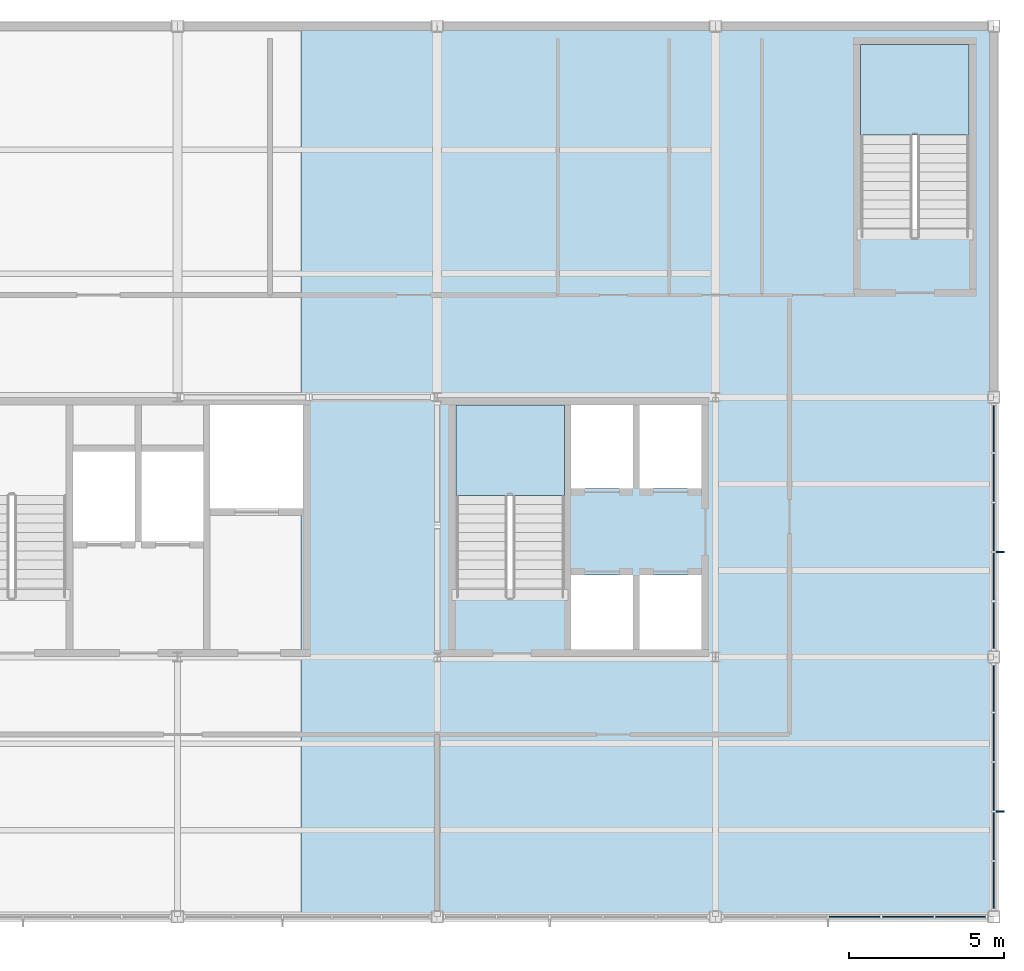
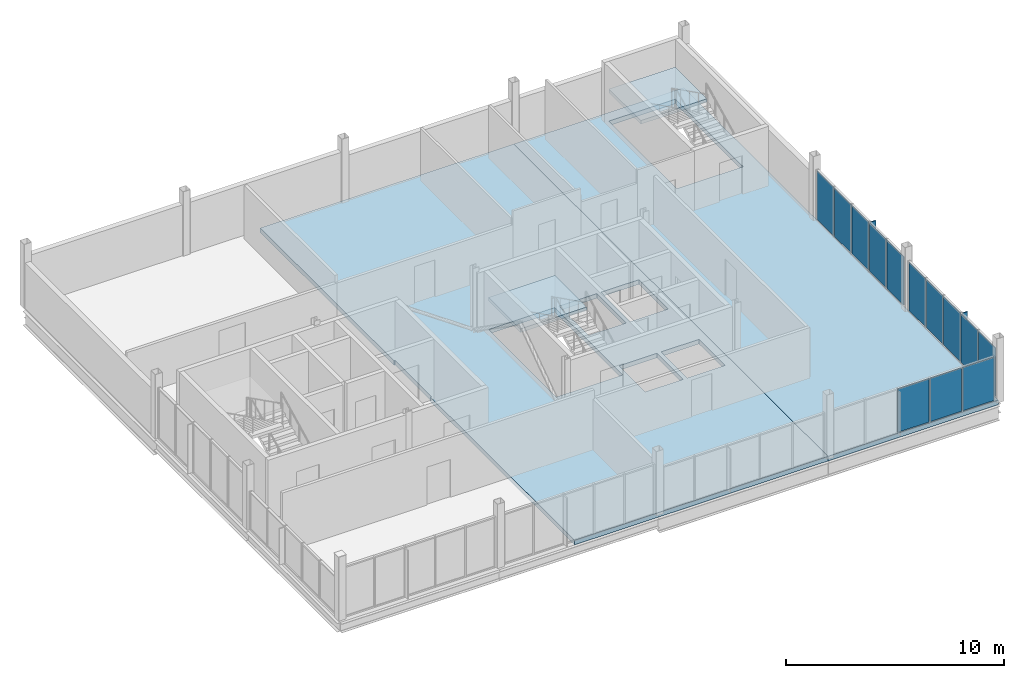
# One storey, part 10 of 15: 15 plates, 4 slabs, 5 elements without a shape of their own.
"""IFC4 building model written with IfcOpenShell, lengths in metres."""

from ifc_helpers import new_model, si_unit, direction, frame, origin, origin_2d, place, context, subcontext, project, spatial, polyline, rectangle, outline, extrude, material, layer, layer_set, type_object, element, aggregate, save


model = new_model("IFC4")

# Units and contexts
model_context = context("Model", 3, precision=1e-05, world=origin(), true_north=direction((0.0, 1.0)))
body_context = subcontext(model_context, "Body", "Model", "MODEL_VIEW")
ifc_project = project(units=[si_unit("LENGTHUNIT", "METRE"), si_unit("AREAUNIT", "SQUARE_METRE"), si_unit("VOLUMEUNIT", "CUBIC_METRE"), si_unit("PLANEANGLEUNIT", "RADIAN"), si_unit("MASSUNIT", "GRAM", prefix="KILO")], contexts=[model_context])

# Site, building, storey
site_placement = place(None, origin())
site = spatial("IfcSite", under=ifc_project, at=site_placement, CompositionType="ELEMENT")
building_placement = place(site_placement, origin())
building = spatial("IfcBuilding", under=site, at=building_placement, Name="Yukiwa Park Conservatory and Herbarium", CompositionType="ELEMENT")
storey_placement = place(building_placement, frame((0.0, 0.0, 54.0)))
storey = spatial("IfcBuildingStorey", under=building, at=storey_placement, Name="L14", CompositionType="ELEMENT", Elevation=54.0)

# Curtain wall, plates
ifc_material_1 = material(Name="Triple Low-E Insulated Glass", Category="glass")
ifc_layer_1 = layer(ifc_material_1, 0.27197265625)
ifc_layer_set_1 = layer_set([ifc_layer_1], Name="Triple Low-E Insulated Glass")
curtain_wall_type = type_object("IfcCurtainWallType", Name="CW-TOWER-LIB-1600", PredefinedType="NOTDEFINED", material=ifc_layer_set_1)
curtain_wall_1_placement = place(storey_placement, origin())
curtain_wall_1 = element("IfcCurtainWall", 1, at=curtain_wall_1_placement, inside=storey, type_object=curtain_wall_type, Name="L14 unitised curtain wall CW-L14-133", PredefinedType="NOTDEFINED")
ifc_material_2 = material(Name="Triple Low-E Insulated Glass", Category="glass")
ifc_layer_2 = layer(ifc_material_2, 0.035888671875)
ifc_layer_set_2 = layer_set([ifc_layer_2], Name="Triple Low-E Insulated Glass")
plate_type_1 = type_object("IfcPlateType", Name="PL-CW-GLZ-36", PredefinedType="CURTAIN_PANEL", material=ifc_layer_set_2)
plate_1_placement = place(storey_placement, frame((168.0, 87.39990234375, 0.070068359375), z_axis=(0.0, 0.0, 1.0), x_axis=(0.0, 1.0, 0.0)))
plate_1 = element("IfcPlate", 2, at=plate_1_placement, type_object=plate_type_1, Name="CW-L14-133 vision panel 1.1", PredefinedType="CURTAIN_PANEL", context=body_context, shape_type="SweptSolid", body=[
    extrude(rectangle(XDim=1.530029296875, YDim=0.035888671875, at=origin_2d()), origin(), (0.0, 0.0, 1.0), 2.7041015625),
])
plate_2_placement = place(storey_placement, frame((168.0, 89.0, 0.070068359375), z_axis=(0.0, 0.0, 1.0), x_axis=(0.0, 1.0, 0.0)))
plate_2 = element("IfcPlate", 3, at=plate_2_placement, type_object=plate_type_1, Name="CW-L14-133 vision panel 2.1", PredefinedType="CURTAIN_PANEL", context=body_context, shape_type="SweptSolid", body=[
    extrude(rectangle(XDim=1.530029296875, YDim=0.035888671875, at=origin_2d()), origin(), (0.0, 0.0, 1.0), 2.7041015625),
])
plate_3_placement = place(storey_placement, frame((168.0, 90.60009765625, 0.070068359375), z_axis=(0.0, 0.0, 1.0), x_axis=(0.0, 1.0, 0.0)))
plate_3 = element("IfcPlate", 4, at=plate_3_placement, type_object=plate_type_1, Name="CW-L14-133 vision panel 3.1", PredefinedType="CURTAIN_PANEL", context=body_context, shape_type="SweptSolid", body=[
    extrude(rectangle(XDim=1.530029296875, YDim=0.035888671875, at=origin_2d()), origin(), (0.0, 0.0, 1.0), 2.7041015625),
])
plate_4_placement = place(storey_placement, frame((168.0, 92.199951171875, 0.070068359375), z_axis=(0.0, 0.0, 1.0), x_axis=(0.0, 1.0, 0.0)))
plate_4 = element("IfcPlate", 5, at=plate_4_placement, type_object=plate_type_1, Name="CW-L14-133 vision panel 4.1", PredefinedType="CURTAIN_PANEL", context=body_context, shape_type="SweptSolid", body=[
    extrude(rectangle(XDim=1.530029296875, YDim=0.035888671875, at=origin_2d()), origin(), (0.0, 0.0, 1.0), 2.7041015625),
])
plate_5_placement = place(storey_placement, frame((168.0, 93.800048828125, 0.070068359375), z_axis=(0.0, 0.0, 1.0), x_axis=(0.0, 1.0, 0.0)))
plate_5 = element("IfcPlate", 6, at=plate_5_placement, type_object=plate_type_1, Name="CW-L14-133 vision panel 5.1", PredefinedType="CURTAIN_PANEL", context=body_context, shape_type="SweptSolid", body=[
    extrude(rectangle(XDim=1.530029296875, YDim=0.035888671875, at=origin_2d()), origin(), (0.0, 0.0, 1.0), 2.7041015625),
])
aggregate(curtain_wall_1, [plate_1, plate_2, plate_3, plate_4, plate_5])

curtain_wall_2_placement = place(storey_placement, origin())
curtain_wall_2 = element("IfcCurtainWall", 7, at=curtain_wall_2_placement, inside=storey, type_object=curtain_wall_type, Name="L14 unitised curtain wall CW-L14-134", PredefinedType="NOTDEFINED")
plate_6_placement = place(storey_placement, frame((168.0, 95.800048828125, 0.070068359375), z_axis=(0.0, 0.0, 1.0), x_axis=(0.0, 1.0, 0.0)))
plate_6 = element("IfcPlate", 8, at=plate_6_placement, type_object=plate_type_1, Name="CW-L14-134 vision panel 1.1", PredefinedType="CURTAIN_PANEL", context=body_context, shape_type="SweptSolid", body=[
    extrude(rectangle(XDim=1.530029296875, YDim=0.035888671875, at=origin_2d()), origin(), (0.0, 0.0, 1.0), 2.7041015625),
])
plate_7_placement = place(storey_placement, frame((168.0, 97.39990234375, 0.070068359375), z_axis=(0.0, 0.0, 1.0), x_axis=(0.0, 1.0, 0.0)))
plate_7 = element("IfcPlate", 9, at=plate_7_placement, type_object=plate_type_1, Name="CW-L14-134 vision panel 2.1", PredefinedType="CURTAIN_PANEL", context=body_context, shape_type="SweptSolid", body=[
    extrude(rectangle(XDim=1.530029296875, YDim=0.035888671875, at=origin_2d()), origin(), (0.0, 0.0, 1.0), 2.7041015625),
])
plate_8_placement = place(storey_placement, frame((168.0, 99.0, 0.070068359375), z_axis=(0.0, 0.0, 1.0), x_axis=(0.0, 1.0, 0.0)))
plate_8 = element("IfcPlate", 10, at=plate_8_placement, type_object=plate_type_1, Name="CW-L14-134 vision panel 3.1", PredefinedType="CURTAIN_PANEL", context=body_context, shape_type="SweptSolid", body=[
    extrude(rectangle(XDim=1.530029296875, YDim=0.035888671875, at=origin_2d()), origin(), (0.0, 0.0, 1.0), 2.7041015625),
])
plate_9_placement = place(storey_placement, frame((168.0, 100.60009765625, 0.070068359375), z_axis=(0.0, 0.0, 1.0), x_axis=(0.0, 1.0, 0.0)))
plate_9 = element("IfcPlate", 11, at=plate_9_placement, type_object=plate_type_1, Name="CW-L14-134 vision panel 4.1", PredefinedType="CURTAIN_PANEL", context=body_context, shape_type="SweptSolid", body=[
    extrude(rectangle(XDim=1.530029296875, YDim=0.035888671875, at=origin_2d()), origin(), (0.0, 0.0, 1.0), 2.7041015625),
])
plate_10_placement = place(storey_placement, frame((168.0, 102.199951171875, 0.070068359375), z_axis=(0.0, 0.0, 1.0), x_axis=(0.0, 1.0, 0.0)))
plate_10 = element("IfcPlate", 12, at=plate_10_placement, type_object=plate_type_1, Name="CW-L14-134 vision panel 5.1", PredefinedType="CURTAIN_PANEL", context=body_context, shape_type="SweptSolid", body=[
    extrude(rectangle(XDim=1.530029296875, YDim=0.035888671875, at=origin_2d()), origin(), (0.0, 0.0, 1.0), 2.7041015625),
])
aggregate(curtain_wall_2, [plate_6, plate_7, plate_8, plate_9, plate_10])

curtain_wall_3_placement = place(storey_placement, origin())
curtain_wall_3 = element("IfcCurtainWall", 13, at=curtain_wall_3_placement, inside=storey, type_object=curtain_wall_type, Name="L14 unitised curtain wall CW-L14-140", PredefinedType="NOTDEFINED")
plate_11_placement = place(storey_placement, frame((163.5, 86.39990234375, 0.06982421875), z_axis=(0.0, 0.0, 1.0), x_axis=(1.0, 0.0, 0.0)))
plate_11 = element("IfcPlate", 14, at=plate_11_placement, type_object=plate_type_1, Name="CW-L14-140 vision panel 3.1", PredefinedType="CURTAIN_PANEL", context=body_context, shape_type="SweptSolid", body=[
    extrude(rectangle(XDim=1.64990234375, YDim=0.035888671875, at=origin_2d()), origin(), (0.0, 0.0, 1.0), 2.412109375),
])
plate_12_placement = place(storey_placement, frame((165.219970703125, 86.39990234375, 0.06982421875), z_axis=(0.0, 0.0, 1.0), x_axis=(1.0, 0.0, 0.0)))
plate_12 = element("IfcPlate", 15, at=plate_12_placement, type_object=plate_type_1, Name="CW-L14-140 vision panel 4.1", PredefinedType="CURTAIN_PANEL", context=body_context, shape_type="SweptSolid", body=[
    extrude(rectangle(XDim=1.64990234375, YDim=0.035888671875, at=origin_2d()), origin(), (0.0, 0.0, 1.0), 2.412109375),
])
plate_13_placement = place(storey_placement, frame((166.93994140625, 86.39990234375, 0.06982421875), z_axis=(0.0, 0.0, 1.0), x_axis=(1.0, 0.0, 0.0)))
plate_13 = element("IfcPlate", 16, at=plate_13_placement, type_object=plate_type_1, Name="CW-L14-140 vision panel 5.1", PredefinedType="CURTAIN_PANEL", context=body_context, shape_type="SweptSolid", body=[
    extrude(rectangle(XDim=1.64990234375, YDim=0.035888671875, at=origin_2d()), origin(), (0.0, 0.0, 1.0), 2.412109375),
])
aggregate(curtain_wall_3, [plate_11, plate_12, plate_13])

# Plates
ifc_material_3 = material(Name="Anodised Aluminium", Category="aluminium")
ifc_layer_3 = layer(ifc_material_3, 0.050048828125)
ifc_layer_set_3 = layer_set([ifc_layer_3], Name="Anodised Aluminium")
plate_type_2 = type_object("IfcPlateType", Name="PL-FIN-ALU-50", PredefinedType="USERDEFINED", material=ifc_layer_set_3)
for number, where, z_axis, x_axis, name in (
    (17, (168.18994140625, 89.800048828125, 0.06005859375), (0.0, 0.0, 1.0), (0.0, 1.0, 0.0), "CW-L14-133 exterior vertical shading fin"),
    (18, (168.18994140625, 98.199951171875, 0.06005859375), (0.0, 0.0, 1.0), (0.0, 1.0, 0.0), "CW-L14-134 exterior vertical shading fin"),
):
    element("IfcPlate", number, at=place(storey_placement, frame(where, z_axis=z_axis, x_axis=x_axis)), inside=storey, type_object=plate_type_2, Name=name, ObjectType="SHADING FIN", PredefinedType="USERDEFINED", context=body_context, shape_type="SweptSolid", body=[
        extrude(rectangle(XDim=0.050048828125, YDim=0.280029296875, at=origin_2d()), origin(), (0.0, 0.0, 1.0), 2.72412109375),
    ])

# Slabs
ifc_material_4 = material(Name="Concrete C40", Category="concrete")
ifc_layer_4 = layer(ifc_material_4, 0.25390625)
ifc_layer_set_4 = layer_set([ifc_layer_4], Name="Concrete C40")
slab_type_1 = type_object("IfcSlabType", Name="SL-FLR-254", PredefinedType="FLOOR", material=ifc_layer_set_4)
slab_1_placement = place(storey_placement, frame((0.0, 0.0, -0.25390625)))
element("IfcSlab", 19, at=slab_1_placement, inside=storey, type_object=slab_type_1, Name="L14 composite structural floor slab V5C", PredefinedType="FLOOR", context=body_context, shape_type="SweptSolid", body=[
    extrude(outline(polyline([(145.60009765625, 99.60009765625), (145.659912109375, 99.60009765625), (145.659912109375, 102.949951171875), (145.60009765625, 102.949951171875), (145.60009765625, 115.199951171875), (159.0, 115.199951171875), (159.0, 86.39990234375), (145.60009765625, 86.39990234375), (145.60009765625, 99.60009765625)]), holes=[polyline([(154.330078125, 97.449951171875), (154.330078125, 95.050048828125), (156.330078125, 95.050048828125), (156.330078125, 97.449951171875), (154.330078125, 97.449951171875)]), polyline([(156.550048828125, 97.449951171875), (156.550048828125, 95.050048828125), (158.550048828125, 95.050048828125), (158.550048828125, 97.449951171875), (156.550048828125, 97.449951171875)]), polyline([(154.110107421875, 102.949951171875), (150.60009765625, 102.949951171875), (150.60009765625, 96.72998046875), (154.110107421875, 96.72998046875), (154.110107421875, 102.949951171875)]), polyline([(154.330078125, 102.949951171875), (154.330078125, 100.25), (156.330078125, 100.25), (156.330078125, 102.949951171875), (154.330078125, 102.949951171875)]), polyline([(158.550048828125, 102.949951171875), (156.550048828125, 102.949951171875), (156.550048828125, 100.25), (158.550048828125, 100.25), (158.550048828125, 102.949951171875)])]), origin(), (0.0, 0.0, 1.0), 0.25390625),
])
slab_2_placement = place(storey_placement, frame((0.0, 0.0, -0.25390625)))
element("IfcSlab", 20, at=slab_2_placement, inside=storey, type_object=slab_type_1, Name="L14 composite structural floor slab V5E", PredefinedType="FLOOR", context=body_context, shape_type="SweptSolid", body=[
    extrude(outline(polyline([(168.0, 86.39990234375), (159.0, 86.39990234375), (159.0, 115.199951171875), (168.0, 115.199951171875), (168.0, 86.39990234375)]), holes=[polyline([(167.199951171875, 114.60009765625), (163.68994140625, 114.60009765625), (163.68994140625, 108.3798828125), (167.199951171875, 108.3798828125), (167.199951171875, 114.60009765625)])]), origin(), (0.0, 0.0, 1.0), 0.25390625),
])

# Stair, slab
ifc_material_5 = material(Name="Concrete C40", Category="concrete")
stair_type_1 = type_object("IfcStairType", Name="ST-DOGLEG-ST-T2", PredefinedType="HALF_TURN_STAIR", material=ifc_material_5)
stair_1_placement = place(storey_placement, origin())
stair_1 = element("IfcStair", 21, at=stair_1_placement, inside=storey, type_object=stair_type_1, Name="L14 Protected Smoke-Proof Stair ST-T2", PredefinedType="HALF_TURN_STAIR")
ifc_material_6 = material(Name="Concrete C40", Category="concrete")
ifc_layer_5 = layer(ifc_material_6, 0.199951171875)
ifc_layer_set_5 = layer_set([ifc_layer_5], Name="Concrete C40")
slab_type_2 = type_object("IfcSlabType", Name="SL-LANDING-220", PredefinedType="LANDING", material=ifc_layer_set_5)
slab_3_placement = place(storey_placement, frame((0.0, 0.0, 1.60009765625)))
slab_3 = element("IfcSlab", 22, at=slab_3_placement, type_object=slab_type_2, Name="ST-T2 landing 1", PredefinedType="LANDING", context=body_context, shape_type="SweptSolid", body=[
    extrude(outline(polyline([(154.110107421875, 100.030029296875), (154.110107421875, 102.949951171875), (150.60009765625, 102.949951171875), (150.60009765625, 100.030029296875), (154.110107421875, 100.030029296875)])), origin(), (0.0, 0.0, 1.0), 0.199951171875),
])
aggregate(stair_1, [slab_3])

ifc_material_7 = material(Name="Concrete C40", Category="concrete")
stair_type_2 = type_object("IfcStairType", Name="ST-DOGLEG-ST-T3", PredefinedType="HALF_TURN_STAIR", material=ifc_material_7)
stair_2_placement = place(storey_placement, origin())
stair_2 = element("IfcStair", 23, at=stair_2_placement, inside=storey, type_object=stair_type_2, Name="L14 Protected Smoke-Proof Stair ST-T3", PredefinedType="HALF_TURN_STAIR")
slab_4_placement = place(storey_placement, frame((0.0, 0.0, 1.60009765625)))
slab_4 = element("IfcSlab", 24, at=slab_4_placement, type_object=slab_type_2, Name="ST-T3 landing 1", PredefinedType="LANDING", context=body_context, shape_type="SweptSolid", body=[
    extrude(outline(polyline([(167.199951171875, 111.679931640625), (167.199951171875, 114.60009765625), (163.68994140625, 114.60009765625), (163.68994140625, 111.679931640625), (167.199951171875, 111.679931640625)])), origin(), (0.0, 0.0, 1.0), 0.199951171875),
])
aggregate(stair_2, [slab_4])

save(model, "model.ifc")
